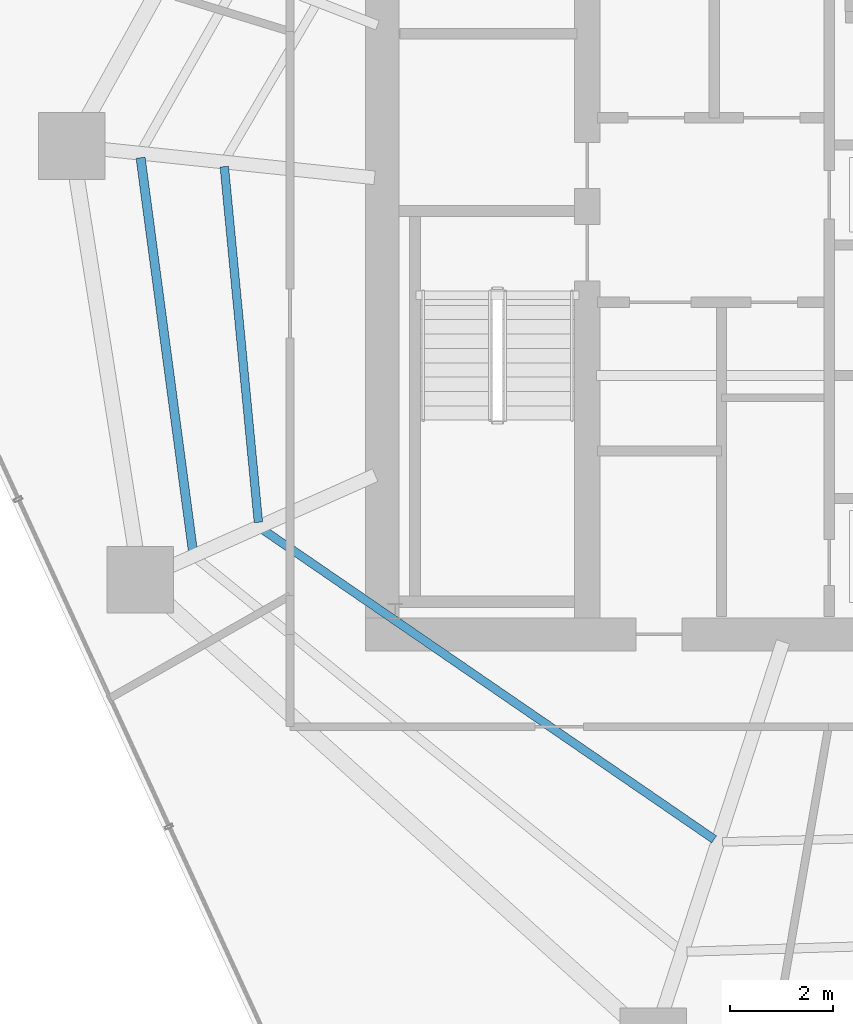
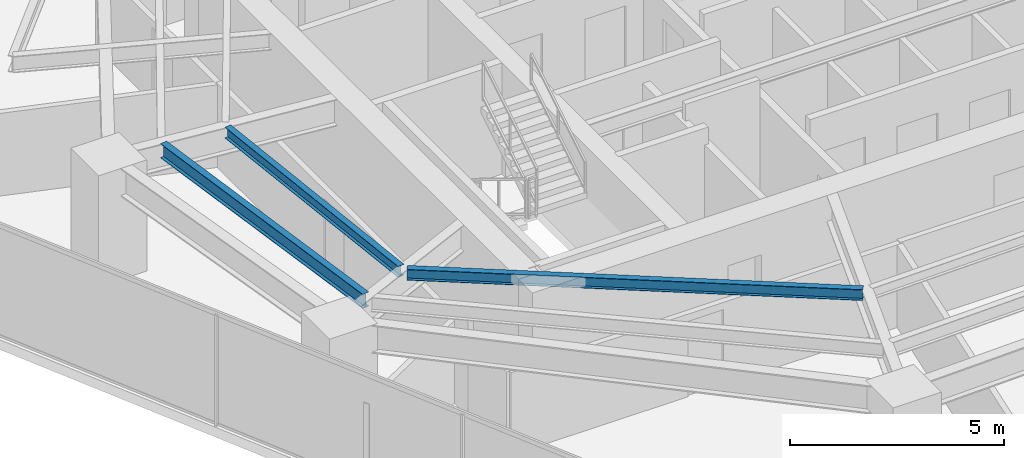
# One storey, part 8 of 30: 3 beams.
"""IFC4 building model written with IfcOpenShell, lengths in metres."""

from ifc_helpers import new_model, si_unit, direction, frame, origin, origin_2d, place, context, subcontext, project, spatial, i_section, extrude, material, material_profile, profile_set, type_object, element, save


model = new_model("IFC4")

# Units and contexts
model_context = context("Model", 3, precision=1e-05, world=origin(), true_north=direction((0.0, 1.0)))
body_context = subcontext(model_context, "Body", "Model", "MODEL_VIEW")
ifc_project = project(units=[si_unit("LENGTHUNIT", "METRE"), si_unit("AREAUNIT", "SQUARE_METRE"), si_unit("VOLUMEUNIT", "CUBIC_METRE"), si_unit("PLANEANGLEUNIT", "RADIAN"), si_unit("MASSUNIT", "GRAM", prefix="KILO")], contexts=[model_context])

# Site, building, storey
site_placement = place(None, origin())
site = spatial("IfcSite", under=ifc_project, at=site_placement, CompositionType="ELEMENT")
building_placement = place(site_placement, origin())
building = spatial("IfcBuilding", under=site, at=building_placement, Name="Qarnah Convention Tower", CompositionType="ELEMENT")
storey_placement = place(building_placement, frame((0.0, 0.0, 47.699951171875)))
storey = spatial("IfcBuildingStorey", under=building, at=storey_placement, Name="L11", CompositionType="ELEMENT", Elevation=47.699951171875)

# Beams
ifc_material = material(Name="Structural steel S355JR", Category="steel")
ifc_material_profile_1 = material_profile(ifc_material, i_section(OverallWidth=0.166015625, OverallDepth=0.31201171875, WebThickness=0.007080078125, FlangeThickness=0.010986328125, at=origin_2d()), Name="W310X45")
ifc_profile_set_1 = profile_set([ifc_material_profile_1], Name="Structural steel S355JR")
beam_type_1 = type_object("IfcBeamType", Name="BM-JST-W310", PredefinedType="JOIST", material=ifc_profile_set_1)
beam_1_placement = place(storey_placement, frame((23.718994140625, 27.72802734375, 3.01416015625), z_axis=(0.095390779358, -0.995439902361, 0.0), x_axis=(0.995439902361, 0.095390779358, 0.0)))
element("IfcBeam", 1, at=beam_1_placement, inside=storey, type_object=beam_type_1, Name="L11 joist BM-L11-IJST-05", PredefinedType="JOIST", context=body_context, shape_type="SweptSolid", body=[
    extrude(i_section(OverallWidth=0.166015625, OverallDepth=0.31201171875, WebThickness=0.007080078125, FlangeThickness=0.010986328125, at=origin_2d()), origin(), (0.0, 0.0, 1.0), 6.9716796875),
])
beam_2_placement = place(storey_placement, frame((24.467041015625, 20.64697265625, 3.01416015625), z_axis=(0.824529031088, -0.565819650501, 0.0), x_axis=(0.565819650501, 0.824529031088, 0.0)))
element("IfcBeam", 2, at=beam_2_placement, inside=storey, type_object=beam_type_1, Name="L11 joist BM-L11-IJST-06", PredefinedType="JOIST", context=body_context, shape_type="SweptSolid", body=[
    extrude(i_section(OverallWidth=0.166015625, OverallDepth=0.31201171875, WebThickness=0.007080078125, FlangeThickness=0.010986328125, at=origin_2d()), origin(), (0.0, 0.0, 1.0), 10.68359375),
])
ifc_material_profile_2 = material_profile(ifc_material, i_section(OverallWidth=0.177978515625, OverallDepth=0.407958984375, WebThickness=0.008056640625, FlangeThickness=0.012939453125, at=origin_2d()), Name="W410X60")
ifc_profile_set_2 = profile_set([ifc_material_profile_2], Name="Structural steel S355JR")
beam_type_2 = type_object("IfcBeamType", Name="BM-JST-W410", PredefinedType="JOIST", material=ifc_profile_set_2)
beam_3_placement = place(storey_placement, frame((22.0859375, 27.90087890625, 2.966064453125), z_axis=(0.131767448728, -0.99128065625, 0.0), x_axis=(0.99128065625, 0.131767448728, 0.0)))
element("IfcBeam", 3, at=beam_3_placement, inside=storey, type_object=beam_type_2, Name="L11 joist BM-L11-SJST-05", PredefinedType="JOIST", context=body_context, shape_type="SweptSolid", body=[
    extrude(i_section(OverallWidth=0.177978515625, OverallDepth=0.407958984375, WebThickness=0.008056640625, FlangeThickness=0.012939453125, at=origin_2d()), origin(), (0.0, 0.0, 1.0), 7.74853515625),
])

save(model, "model.ifc")
